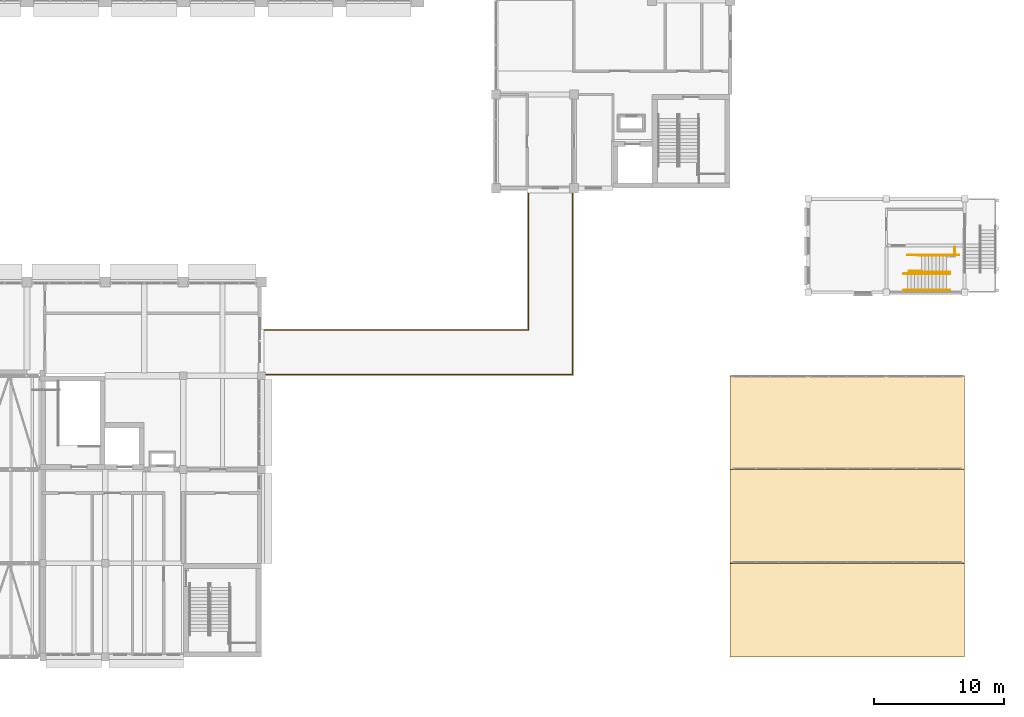
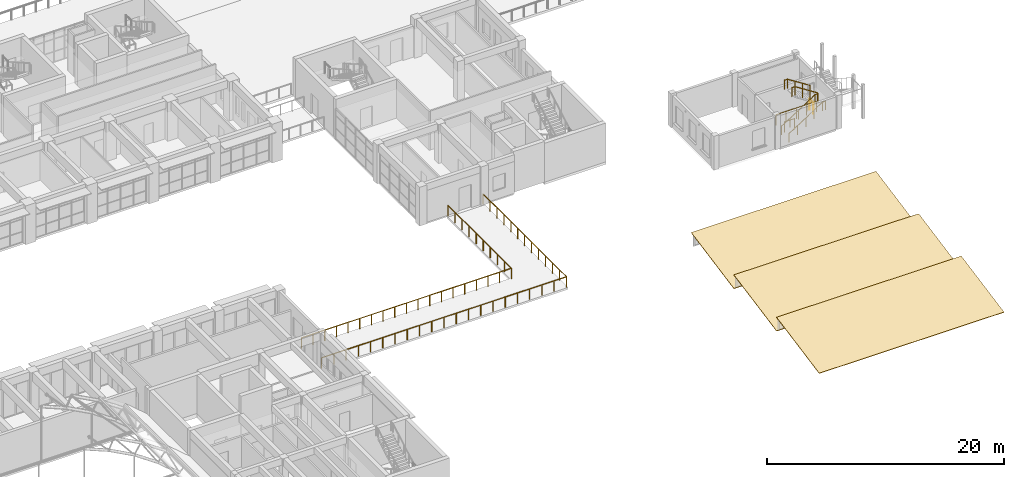
# One storey, part 95 of 101: 9 railings, 3 coverings.
"""IFC4 building model written with IfcOpenShell, lengths in metres."""

from ifc_helpers import new_model, si_unit, direction, frame, origin, origin_2d, place, context, subcontext, project, spatial, polyline, circle, outline, extrude, material, layer, layer_set, type_object, element, save


model = new_model("IFC4")

# Units and contexts
model_context = context("Model", 3, precision=1e-05, world=origin(), true_north=direction((0.0, 1.0)))
body_context = subcontext(model_context, "Body", "Model", "MODEL_VIEW")
ifc_project = project(units=[si_unit("LENGTHUNIT", "METRE"), si_unit("AREAUNIT", "SQUARE_METRE"), si_unit("VOLUMEUNIT", "CUBIC_METRE"), si_unit("PLANEANGLEUNIT", "RADIAN"), si_unit("MASSUNIT", "GRAM", prefix="KILO")], contexts=[model_context])

# Site, building, storey
site_placement = place(None, origin())
site = spatial("IfcSite", under=ifc_project, at=site_placement, CompositionType="ELEMENT")
building_placement = place(site_placement, origin())
building = spatial("IfcBuilding", under=site, at=building_placement, Name="Laocheng Heights Fire and Rescue Headquarters", CompositionType="ELEMENT")
storey_placement = place(building_placement, frame((0.0, 0.0, 8.39990234375)))
storey = spatial("IfcBuildingStorey", under=building, at=storey_placement, Name="L02", CompositionType="ELEMENT", Elevation=8.39990234375)

# Coverings
ifc_material_1 = material(Name="Standing-seam aluminium roof sheeting on waterproof membrane", Category="aluminium")
ifc_layer = layer(ifc_material_1, 0.06005859375)
ifc_layer_set = layer_set([ifc_layer], Name="Standing-seam aluminium roof sheeting on waterproof membrane")
covering_type = type_object("IfcCoveringType", Name="SLOPED ROOF COVERING 60", PredefinedType="ROOFING", material=ifc_layer_set)
for number, where, z_axis, x_axis, name in (
    (1, (108.0, 0.0, 0.061279296875), (0.0, -0.190858077279, 0.981617641619), (1.0, 0.0, 0.0), "Sawtooth covering tooth 1"),
    (2, (108.0, 7.199951171875, 0.061279296875), (0.0, -0.190858077279, 0.981617641619), (1.0, 0.0, 0.0), "Sawtooth covering tooth 2"),
):
    element("IfcCovering", number, at=place(storey_placement, frame(where, z_axis=z_axis, x_axis=x_axis)), inside=storey, type_object=covering_type, Name=name, PredefinedType="ROOFING", context=body_context, shape_type="SweptSolid", body=[
        extrude(outline(polyline([(0.0, 0.0), (18.0, 0.0), (18.0, 7.33478175881334), (0.0, 7.33478175881334), (0.0, 0.0)])), origin(), (0.0, 0.0, -1.0), 0.06005859375),
    ])
covering_placement = place(storey_placement, frame((108.0, 14.39990234375, 0.061279296875), z_axis=(0.0, -0.190851841484, 0.981618854038), x_axis=(1.0, 0.0, 0.0)))
element("IfcCovering", 3, at=covering_placement, inside=storey, type_object=covering_type, Name="Sawtooth covering tooth 3", PredefinedType="ROOFING", context=body_context, shape_type="SweptSolid", body=[
    extrude(outline(polyline([(0.0, 0.0), (18.0, 0.0), (18.0, 7.335021411705879), (0.0, 7.335021411705879), (0.0, 0.0)])), origin(), (0.0, 0.0, -1.0), 0.06005859375),
])

# Railings
ifc_material_2 = material(Name="Steel Q355B", Category="steel")
railing_type_1 = type_object("IfcRailingType", Name="STAIR GUARD 1100", PredefinedType="GUARDRAIL", material=ifc_material_2)
railing_1_placement = place(storey_placement, frame((122.705078125, 29.6298828125, 2.10009765625)))
element("IfcRailing", 4, at=railing_1_placement, inside=storey, type_object=railing_type_1, Name="Stair T1 guard F4 well edge", PredefinedType="GUARDRAIL", context=body_context, shape_type="SweptSolid", body=[
    extrude(circle(Radius=0.02392578125, at=origin_2d()), frame((0.0, 0.0, 1.076171875), z_axis=(-1.0, 0.0, 0.0), x_axis=(0.0, -1.0, 0.0)), (0.0, 0.0, 1.0), 0.988037109375),
    extrude(circle(Radius=0.02099609375, at=origin_2d()), origin(), (0.0, 0.0, 1.0), 1.052001953125),
    extrude(circle(Radius=0.02099609375, at=origin_2d()), frame((-0.988037109375, 0.0, 0.0)), (0.0, 0.0, 1.0), 1.052001953125),
])
railing_2_placement = place(storey_placement, frame((125.2451171875, 30.800048828125, 2.10009765625)))
element("IfcRailing", 5, at=railing_2_placement, inside=storey, type_object=railing_type_1, Name="Stair T1 guard F4 tongue edge", PredefinedType="GUARDRAIL", context=body_context, shape_type="SweptSolid", body=[
    extrude(circle(Radius=0.02392578125, at=origin_2d()), frame((0.0, 0.0, 1.076171875), z_axis=(0.0, 1.0, 0.0), x_axis=(-1.0, 0.0, 0.0)), (0.0, 0.0, 1.0), 0.675048828125),
    extrude(circle(Radius=0.02099609375, at=origin_2d()), origin(), (0.0, 0.0, 1.0), 1.052001953125),
    extrude(circle(Radius=0.02099609375, at=origin_2d()), frame((0.0, 0.675048828125, 0.0)), (0.0, 0.0, 1.0), 1.052001953125),
])
railing_3_placement = place(storey_placement, frame((125.580078125, 30.8798828125, 2.10009765625)))
element("IfcRailing", 6, at=railing_3_placement, inside=storey, type_object=railing_type_1, Name="Stair T1 guard F4 strip edge", PredefinedType="GUARDRAIL", context=body_context, shape_type="SweptSolid", body=[
    extrude(circle(Radius=0.02392578125, at=origin_2d()), frame((0.0, 0.0, 1.076171875), z_axis=(-1.0, 0.0, 0.0), x_axis=(0.0, -1.0, 0.0)), (0.0, 0.0, 1.0), 3.955078125),
    extrude(circle(Radius=0.02099609375, at=origin_2d()), origin(), (0.0, 0.0, 1.0), 1.052001953125),
    extrude(circle(Radius=0.02099609375, at=origin_2d()), frame((-0.98876953125, 0.0, 0.0)), (0.0, 0.0, 1.0), 1.052001953125),
    extrude(circle(Radius=0.02099609375, at=origin_2d()), frame((-1.9775390625, 0.0, 0.0)), (0.0, 0.0, 1.0), 1.052001953125),
    extrude(circle(Radius=0.02099609375, at=origin_2d()), frame((-2.96630859375, 0.0, 0.0)), (0.0, 0.0, 1.0), 1.052001953125),
    extrude(circle(Radius=0.02099609375, at=origin_2d()), frame((-3.955078125, 0.0, 0.0)), (0.0, 0.0, 1.0), 1.052001953125),
])
ifc_material_3 = material(Name="Steel Q355B", Category="steel")
railing_type_2 = type_object("IfcRailingType", Name="STAIR HANDRAIL 920", PredefinedType="HANDRAIL", material=ifc_material_3)
for number, where, name in (
    (7, (121.324951171875, 28.169921875, 2.10009765625), "Stair T1 handrail F4 1"),
    (8, (121.324951171875, 29.429931640625, 2.10009765625), "Stair T1 handrail F4 2"),
):
    element("IfcRailing", number, at=place(storey_placement, frame(where)), inside=storey, type_object=railing_type_2, Name=name, PredefinedType="HANDRAIL", context=body_context, shape_type="SweptSolid", body=[
        extrude(circle(Radius=0.02392578125, at=origin_2d()), frame((0.0, 0.0, 0.89599609375), z_axis=(0.841419242076, 0.0, 0.540382881913), x_axis=(0.0, 1.0, 0.0)), (0.0, 0.0, 1.0), 3.88623046875),
        extrude(circle(Radius=0.02392578125, at=origin_2d()), frame((3.27001953125, 0.0, 2.99609375), z_axis=(1.0, 0.0, 0.0), x_axis=(0.0, 1.0, 0.0)), (0.0, 0.0, 1.0), 0.300048828125),
        extrude(circle(Radius=0.02099609375, at=origin_2d()), origin(), (0.0, 0.0, 1.0), 0.871826171875),
        extrude(circle(Radius=0.02099609375, at=origin_2d()), frame((0.8173828125, 0.0, 0.52490234375)), (0.0, 0.0, 1.0), 0.871826171875),
        extrude(circle(Radius=0.02099609375, at=origin_2d()), frame((1.635009765625, 0.0, 1.050048828125)), (0.0, 0.0, 1.0), 0.871826171875),
        extrude(circle(Radius=0.02099609375, at=origin_2d()), frame((2.45263671875, 0.0, 1.5751953125)), (0.0, 0.0, 1.0), 0.871826171875),
        extrude(circle(Radius=0.02099609375, at=origin_2d()), frame((3.27001953125, 0.0, 2.10009765625)), (0.0, 0.0, 1.0), 0.871826171875),
        extrude(circle(Radius=0.02099609375, at=origin_2d()), frame((3.570068359375, 0.0, 2.10009765625)), (0.0, 0.0, 1.0), 0.871826171875),
    ])
for number, where, name in (
    (9, (124.89501953125, 29.570068359375, 4.2001953125), "Stair T1 handrail F4 3"),
    (10, (124.89501953125, 30.830078125, 4.2001953125), "Stair T1 handrail F4 4"),
):
    element("IfcRailing", number, at=place(storey_placement, frame(where)), inside=storey, type_object=railing_type_2, Name=name, PredefinedType="HANDRAIL", context=body_context, shape_type="SweptSolid", body=[
        extrude(circle(Radius=0.02392578125, at=origin_2d()), frame((0.0, 0.0, 0.89599609375), z_axis=(-0.842561281479, 0.0, 0.538600489186), x_axis=(0.0, -1.0, 0.0)), (0.0, 0.0, 1.0), 2.59912109375),
        extrude(circle(Radius=0.02392578125, at=origin_2d()), frame((-2.18994140625, 0.0, 2.2958984375), z_axis=(-1.0, 0.0, 0.0), x_axis=(0.0, -1.0, 0.0)), (0.0, 0.0, 1.0), 0.300048828125),
        extrude(circle(Radius=0.02099609375, at=origin_2d()), origin(), (0.0, 0.0, 1.0), 0.871826171875),
        extrude(circle(Radius=0.02099609375, at=origin_2d()), frame((-0.72998046875, 0.0, 0.466552734375)), (0.0, 0.0, 1.0), 0.871826171875),
        extrude(circle(Radius=0.02099609375, at=origin_2d()), frame((-1.4599609375, 0.0, 0.933349609375)), (0.0, 0.0, 1.0), 0.871826171875),
        extrude(circle(Radius=0.02099609375, at=origin_2d()), frame((-2.18994140625, 0.0, 1.39990234375)), (0.0, 0.0, 1.0), 0.871826171875),
        extrude(circle(Radius=0.02099609375, at=origin_2d()), frame((-2.489990234375, 0.0, 1.39990234375)), (0.0, 0.0, 1.0), 0.871826171875),
    ])
ifc_material_4 = material(Name="Steel Q355B", Category="steel")
railing_type_3 = type_object("IfcRailingType", Name="STEEL GUARDRAIL 1100 BRIDGE", PredefinedType="GUARDRAIL", material=ifc_material_4)
railing_4_placement = place(storey_placement, frame((72.050048828125, 25.10009765625, 0.0)))
element("IfcRailing", 11, at=railing_4_placement, inside=storey, type_object=railing_type_3, Name="Bridge B4 guard", PredefinedType="GUARDRAIL", context=body_context, shape_type="SweptSolid", body=[
    extrude(circle(Radius=0.02490234375, at=origin_2d()), frame((0.0, 0.0, 1.0751953125), z_axis=(1.0, 0.0, 0.0), x_axis=(0.0, 1.0, 0.0)), (0.0, 0.0, 1.0), 20.449951171875),
    extrude(circle(Radius=0.02490234375, at=origin_2d()), frame((20.449951171875, 0.0, 1.0751953125), z_axis=(0.0, 1.0, 0.0), x_axis=(-1.0, 0.0, 0.0)), (0.0, 0.0, 1.0), 10.6748046875),
    extrude(circle(Radius=0.02490234375, at=origin_2d()), origin(), (0.0, 0.0, 1.0), 1.050048828125),
    extrude(circle(Radius=0.02490234375, at=origin_2d()), frame((1.13623046875, 0.0, 0.0)), (0.0, 0.0, 1.0), 1.050048828125),
    extrude(circle(Radius=0.02490234375, at=origin_2d()), frame((2.272216796875, 0.0, 0.0)), (0.0, 0.0, 1.0), 1.050048828125),
    extrude(circle(Radius=0.02490234375, at=origin_2d()), frame((3.408203125, 0.0, 0.0)), (0.0, 0.0, 1.0), 1.050048828125),
    extrude(circle(Radius=0.02490234375, at=origin_2d()), frame((4.54443359375, 0.0, 0.0)), (0.0, 0.0, 1.0), 1.050048828125),
    extrude(circle(Radius=0.02490234375, at=origin_2d()), frame((5.6806640625, 0.0, 0.0)), (0.0, 0.0, 1.0), 1.050048828125),
    extrude(circle(Radius=0.02490234375, at=origin_2d()), frame((6.816650390625, 0.0, 0.0)), (0.0, 0.0, 1.0), 1.050048828125),
    extrude(circle(Radius=0.02490234375, at=origin_2d()), frame((7.95263671875, 0.0, 0.0)), (0.0, 0.0, 1.0), 1.050048828125),
    extrude(circle(Radius=0.02490234375, at=origin_2d()), frame((9.0888671875, 0.0, 0.0)), (0.0, 0.0, 1.0), 1.050048828125),
    extrude(circle(Radius=0.02490234375, at=origin_2d()), frame((10.22509765625, 0.0, 0.0)), (0.0, 0.0, 1.0), 1.050048828125),
    extrude(circle(Radius=0.02490234375, at=origin_2d()), frame((11.361083984375, 0.0, 0.0)), (0.0, 0.0, 1.0), 1.050048828125),
    extrude(circle(Radius=0.02490234375, at=origin_2d()), frame((12.497314453125, 0.0, 0.0)), (0.0, 0.0, 1.0), 1.050048828125),
    extrude(circle(Radius=0.02490234375, at=origin_2d()), frame((13.63330078125, 0.0, 0.0)), (0.0, 0.0, 1.0), 1.050048828125),
    extrude(circle(Radius=0.02490234375, at=origin_2d()), frame((14.76953125, 0.0, 0.0)), (0.0, 0.0, 1.0), 1.050048828125),
    extrude(circle(Radius=0.02490234375, at=origin_2d()), frame((15.905517578125, 0.0, 0.0)), (0.0, 0.0, 1.0), 1.050048828125),
    extrude(circle(Radius=0.02490234375, at=origin_2d()), frame((17.04150390625, 0.0, 0.0)), (0.0, 0.0, 1.0), 1.050048828125),
    extrude(circle(Radius=0.02490234375, at=origin_2d()), frame((18.177734375, 0.0, 0.0)), (0.0, 0.0, 1.0), 1.050048828125),
    extrude(circle(Radius=0.02490234375, at=origin_2d()), frame((19.31396484375, 0.0, 0.0)), (0.0, 0.0, 1.0), 1.050048828125),
    extrude(circle(Radius=0.02490234375, at=origin_2d()), frame((20.449951171875, 0.0, 0.0)), (0.0, 0.0, 1.0), 1.050048828125),
    extrude(circle(Radius=0.02490234375, at=origin_2d()), frame((20.449951171875, 1.18603515625, 0.0)), (0.0, 0.0, 1.0), 1.050048828125),
    extrude(circle(Radius=0.02490234375, at=origin_2d()), frame((20.449951171875, 2.3720703125, 0.0)), (0.0, 0.0, 1.0), 1.050048828125),
    extrude(circle(Radius=0.02490234375, at=origin_2d()), frame((20.449951171875, 3.558349609375, 0.0)), (0.0, 0.0, 1.0), 1.050048828125),
    extrude(circle(Radius=0.02490234375, at=origin_2d()), frame((20.449951171875, 4.744384765625, 0.0)), (0.0, 0.0, 1.0), 1.050048828125),
    extrude(circle(Radius=0.02490234375, at=origin_2d()), frame((20.449951171875, 5.930419921875, 0.0)), (0.0, 0.0, 1.0), 1.050048828125),
    extrude(circle(Radius=0.02490234375, at=origin_2d()), frame((20.449951171875, 7.116455078125, 0.0)), (0.0, 0.0, 1.0), 1.050048828125),
    extrude(circle(Radius=0.02490234375, at=origin_2d()), frame((20.449951171875, 8.302734375, 0.0)), (0.0, 0.0, 1.0), 1.050048828125),
    extrude(circle(Radius=0.02490234375, at=origin_2d()), frame((20.449951171875, 9.48876953125, 0.0)), (0.0, 0.0, 1.0), 1.050048828125),
    extrude(circle(Radius=0.02490234375, at=origin_2d()), frame((20.449951171875, 10.6748046875, 0.0)), (0.0, 0.0, 1.0), 1.050048828125),
])
railing_5_placement = place(storey_placement, frame((95.89990234375, 35.77490234375, 0.0)))
element("IfcRailing", 12, at=railing_5_placement, inside=storey, type_object=railing_type_3, Name="Bridge B4 guard", PredefinedType="GUARDRAIL", context=body_context, shape_type="SweptSolid", body=[
    extrude(circle(Radius=0.02490234375, at=origin_2d()), frame((0.0, 0.0, 1.0751953125), z_axis=(0.0, -1.0, 0.0), x_axis=(1.0, 0.0, 0.0)), (0.0, 0.0, 1.0), 14.074951171875),
    extrude(circle(Radius=0.02490234375, at=origin_2d()), frame((0.0, -14.074951171875, 1.0751953125), z_axis=(-1.0, 0.0, 0.0), x_axis=(0.0, -1.0, 0.0)), (0.0, 0.0, 1.0), 23.849853515625),
    extrude(circle(Radius=0.02490234375, at=origin_2d()), origin(), (0.0, 0.0, 1.0), 1.050048828125),
    extrude(circle(Radius=0.02490234375, at=origin_2d()), frame((0.0, -1.1728515625, 0.0)), (0.0, 0.0, 1.0), 1.050048828125),
    extrude(circle(Radius=0.02490234375, at=origin_2d()), frame((0.0, -2.345703125, 0.0)), (0.0, 0.0, 1.0), 1.050048828125),
    extrude(circle(Radius=0.02490234375, at=origin_2d()), frame((0.0, -3.518798828125, 0.0)), (0.0, 0.0, 1.0), 1.050048828125),
    extrude(circle(Radius=0.02490234375, at=origin_2d()), frame((0.0, -4.691650390625, 0.0)), (0.0, 0.0, 1.0), 1.050048828125),
    extrude(circle(Radius=0.02490234375, at=origin_2d()), frame((0.0, -5.864501953125, 0.0)), (0.0, 0.0, 1.0), 1.050048828125),
    extrude(circle(Radius=0.02490234375, at=origin_2d()), frame((0.0, -7.03759765625, 0.0)), (0.0, 0.0, 1.0), 1.050048828125),
    extrude(circle(Radius=0.02490234375, at=origin_2d()), frame((0.0, -8.21044921875, 0.0)), (0.0, 0.0, 1.0), 1.050048828125),
    extrude(circle(Radius=0.02490234375, at=origin_2d()), frame((0.0, -9.38330078125, 0.0)), (0.0, 0.0, 1.0), 1.050048828125),
    extrude(circle(Radius=0.02490234375, at=origin_2d()), frame((0.0, -10.55615234375, 0.0)), (0.0, 0.0, 1.0), 1.050048828125),
    extrude(circle(Radius=0.02490234375, at=origin_2d()), frame((0.0, -11.72900390625, 0.0)), (0.0, 0.0, 1.0), 1.050048828125),
    extrude(circle(Radius=0.02490234375, at=origin_2d()), frame((0.0, -12.902099609375, 0.0)), (0.0, 0.0, 1.0), 1.050048828125),
    extrude(circle(Radius=0.02490234375, at=origin_2d()), frame((0.0, -14.074951171875, 0.0)), (0.0, 0.0, 1.0), 1.050048828125),
    extrude(circle(Radius=0.02490234375, at=origin_2d()), frame((-1.1923828125, -14.074951171875, 0.0)), (0.0, 0.0, 1.0), 1.050048828125),
    extrude(circle(Radius=0.02490234375, at=origin_2d()), frame((-2.385009765625, -14.074951171875, 0.0)), (0.0, 0.0, 1.0), 1.050048828125),
    extrude(circle(Radius=0.02490234375, at=origin_2d()), frame((-3.577392578125, -14.074951171875, 0.0)), (0.0, 0.0, 1.0), 1.050048828125),
    extrude(circle(Radius=0.02490234375, at=origin_2d()), frame((-4.77001953125, -14.074951171875, 0.0)), (0.0, 0.0, 1.0), 1.050048828125),
    extrude(circle(Radius=0.02490234375, at=origin_2d()), frame((-5.96240234375, -14.074951171875, 0.0)), (0.0, 0.0, 1.0), 1.050048828125),
    extrude(circle(Radius=0.02490234375, at=origin_2d()), frame((-7.155029296875, -14.074951171875, 0.0)), (0.0, 0.0, 1.0), 1.050048828125),
    extrude(circle(Radius=0.02490234375, at=origin_2d()), frame((-8.347412109375, -14.074951171875, 0.0)), (0.0, 0.0, 1.0), 1.050048828125),
    extrude(circle(Radius=0.02490234375, at=origin_2d()), frame((-9.5400390625, -14.074951171875, 0.0)), (0.0, 0.0, 1.0), 1.050048828125),
    extrude(circle(Radius=0.02490234375, at=origin_2d()), frame((-10.732421875, -14.074951171875, 0.0)), (0.0, 0.0, 1.0), 1.050048828125),
    extrude(circle(Radius=0.02490234375, at=origin_2d()), frame((-11.9248046875, -14.074951171875, 0.0)), (0.0, 0.0, 1.0), 1.050048828125),
    extrude(circle(Radius=0.02490234375, at=origin_2d()), frame((-13.117431640625, -14.074951171875, 0.0)), (0.0, 0.0, 1.0), 1.050048828125),
    extrude(circle(Radius=0.02490234375, at=origin_2d()), frame((-14.309814453125, -14.074951171875, 0.0)), (0.0, 0.0, 1.0), 1.050048828125),
    extrude(circle(Radius=0.02490234375, at=origin_2d()), frame((-15.50244140625, -14.074951171875, 0.0)), (0.0, 0.0, 1.0), 1.050048828125),
    extrude(circle(Radius=0.02490234375, at=origin_2d()), frame((-16.69482421875, -14.074951171875, 0.0)), (0.0, 0.0, 1.0), 1.050048828125),
    extrude(circle(Radius=0.02490234375, at=origin_2d()), frame((-17.887451171875, -14.074951171875, 0.0)), (0.0, 0.0, 1.0), 1.050048828125),
    extrude(circle(Radius=0.02490234375, at=origin_2d()), frame((-19.079833984375, -14.074951171875, 0.0)), (0.0, 0.0, 1.0), 1.050048828125),
    extrude(circle(Radius=0.02490234375, at=origin_2d()), frame((-20.2724609375, -14.074951171875, 0.0)), (0.0, 0.0, 1.0), 1.050048828125),
    extrude(circle(Radius=0.02490234375, at=origin_2d()), frame((-21.46484375, -14.074951171875, 0.0)), (0.0, 0.0, 1.0), 1.050048828125),
    extrude(circle(Radius=0.02490234375, at=origin_2d()), frame((-22.657470703125, -14.074951171875, 0.0)), (0.0, 0.0, 1.0), 1.050048828125),
    extrude(circle(Radius=0.02490234375, at=origin_2d()), frame((-23.849853515625, -14.074951171875, 0.0)), (0.0, 0.0, 1.0), 1.050048828125),
])

save(model, "model.ifc")
